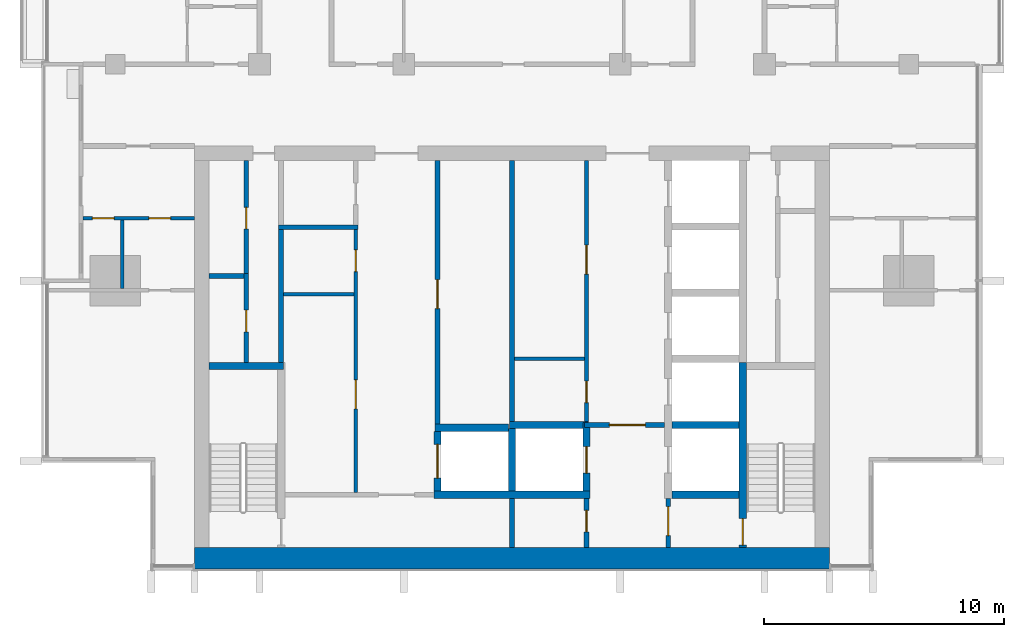
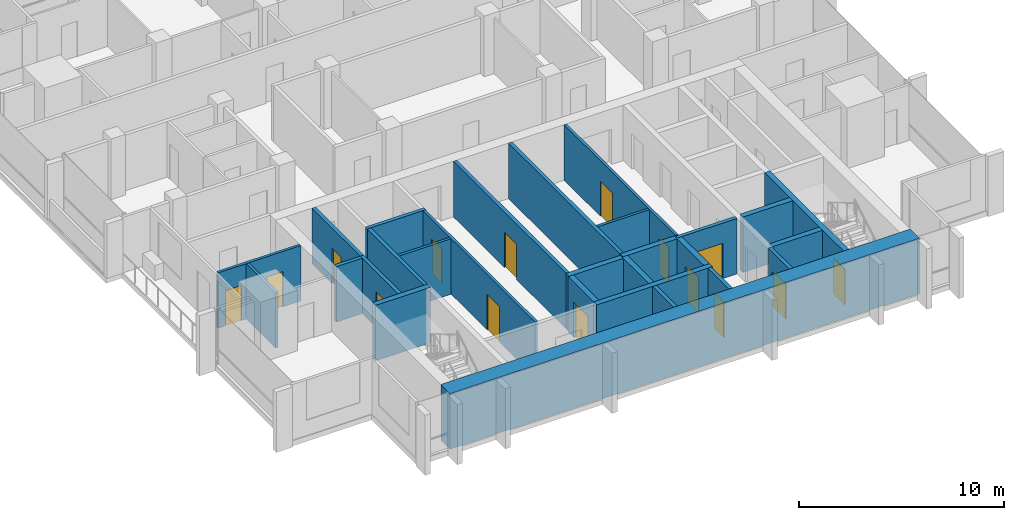
# One storey, part 7 of 16: 28 walls, 15 doors, 15 openings.
"""IFC4 building model written with IfcOpenShell, lengths in metres."""

from ifc_helpers import new_model, si_unit, direction, frame, frame_2d, origin, place, context, subcontext, project, spatial, rectangle, extrude, material, layer, layer_set, type_object, element, fill, save


model = new_model("IFC4")

# Units and contexts
model_context = context("Model", 3, precision=1e-05, world=origin(), true_north=direction((0.0, 1.0)))
body_context = subcontext(model_context, "Body", "Model", "MODEL_VIEW")
ifc_project = project(units=[si_unit("LENGTHUNIT", "METRE"), si_unit("AREAUNIT", "SQUARE_METRE"), si_unit("VOLUMEUNIT", "CUBIC_METRE"), si_unit("PLANEANGLEUNIT", "RADIAN"), si_unit("MASSUNIT", "GRAM", prefix="KILO")], contexts=[model_context])

# Site, building, storey
site_placement = place(None, origin())
site = spatial("IfcSite", under=ifc_project, at=site_placement, CompositionType="ELEMENT")
building_placement = place(site_placement, origin())
building = spatial("IfcBuilding", under=site, at=building_placement, Name="Finial Court Residences", CompositionType="ELEMENT")
storey_placement = place(building_placement, frame((0.0, 0.0, 230.300048828125)))
storey = spatial("IfcBuildingStorey", under=building, at=storey_placement, Name="L58", CompositionType="ELEMENT", Elevation=230.300048828125)

# Walls
ifc_material_1 = material(Name="Fire-rated gypsum board partition")
ifc_layer_1 = layer(ifc_material_1, 0.14990234375)
ifc_layer_set_1 = layer_set([ifc_layer_1], Name="Core room partition 150 EI 60")
wall_type_1 = type_object("IfcWallType", Name="Core room partition 150 EI 60", PredefinedType="PARTITIONING", material=ifc_layer_set_1)
wall_1_placement = place(storey_placement, frame((0.10009765625, -16.75, 0.0), z_axis=(0.0, 0.0, 1.0), x_axis=(1.0, 0.0, 0.0)))
element("IfcWall", 1, at=wall_1_placement, inside=storey, type_object=wall_type_1, Name="Core partition L58-10", PredefinedType="PARTITIONING", context=body_context, shape_type="SweptSolid", body=[
    extrude(rectangle(XDim=2.9248046875, YDim=0.14990234375, at=frame_2d((1.46240234375, 0.0))), origin(), (0.0, 0.0, 1.0), 3.300048828125),
])
wall_2_placement = place(storey_placement, frame((-9.5, -14.06005859375, 0.0), z_axis=(0.0, 0.0, 1.0), x_axis=(1.0, 0.0, 0.0)))
element("IfcWall", 2, at=wall_2_placement, inside=storey, type_object=wall_type_1, Name="Core partition L58-12", PredefinedType="PARTITIONING", context=body_context, shape_type="SweptSolid", body=[
    extrude(rectangle(XDim=2.925048828125, YDim=0.14990234375, at=frame_2d((1.46240234375, 0.0))), origin(), (0.0, 0.0, 1.0), 3.300048828125),
])

# Wall, openings, doors
wall_3_placement = place(storey_placement, frame((-6.5, -22.300048828125, 0.0), z_axis=(0.0, 0.0, 1.0), x_axis=(0.0, 1.0, 0.0)))
wall_3 = element("IfcWall", 3, at=wall_3_placement, inside=storey, type_object=wall_type_1, Name="Core partition L58-23", PredefinedType="PARTITIONING", context=body_context, shape_type="SweptSolid", body=[
    extrude(rectangle(XDim=10.920166015625, YDim=0.14990234375, at=frame_2d((5.4599609375, 0.0))), origin(), (0.0, 0.0, 1.0), 3.300048828125),
])
opening_1_placement = place(wall_3_placement, frame((3.469970703125, 0.0, 0.0)))
opening_1 = element("IfcOpeningElement", 4, at=opening_1_placement, cuts=wall_3, Name="Opening L58-C15", PredefinedType="OPENING", context=body_context, shape_type="SweptSolid", body=[
    extrude(rectangle(XDim=1.199951171875, YDim=2.10009765625, at=frame_2d((0.60009765625, 1.050048828125))), frame((0.0, 0.0849609375, 0.0), z_axis=(0.0, -1.0, 0.0), x_axis=(1.0, 0.0, 0.0)), (0.0, 0.0, 1.0), 0.169921875),
])
opening_2_placement = place(wall_3_placement, frame((9.179931640625, 0.0, 0.0)))
opening_2 = element("IfcOpeningElement", 5, at=opening_2_placement, cuts=wall_3, Name="Opening L58-C16", PredefinedType="OPENING", context=body_context, shape_type="SweptSolid", body=[
    extrude(rectangle(XDim=0.89990234375, YDim=2.10009765625, at=frame_2d((0.449951171875, 1.050048828125))), frame((0.0, 0.0849609375, 0.0), z_axis=(0.0, -1.0, 0.0), x_axis=(1.0, 0.0, 0.0)), (0.0, 0.0, 1.0), 0.169921875),
])
ifc_material_2 = material(Name="Steel fire door", Category="steel")
door_type_1 = type_object("IfcDoorType", Name="Core room door 1200 x 2100 EI 60", OperationType="NOTDEFINED", PredefinedType="DOOR", material=ifc_material_2)
door_1_placement = place(opening_1_placement, origin())
door_1 = element("IfcDoor", 6, at=door_1_placement, inside=storey, type_object=door_type_1, Name="Core room door L58-C15", OperationType="SINGLE_SWING_LEFT", OverallHeight=2.10009765625, OverallWidth=1.199951171875, PredefinedType="DOOR", context=body_context, shape_type="SweptSolid", body=[
    extrude(rectangle(XDim=1.199951171875, YDim=2.10009765625, at=frame_2d((0.60009765625, 1.050048828125))), frame((0.0, 0.02490234375, 0.0), z_axis=(0.0, -1.0, 0.0), x_axis=(1.0, 0.0, 0.0)), (0.0, 0.0, 1.0), 0.050048828125),
])
fill(opening_1, door_1)
door_type_2 = type_object("IfcDoorType", Name="Core room door 900 x 2100 EI 60", OperationType="NOTDEFINED", PredefinedType="DOOR", material=ifc_material_2)
door_2_placement = place(opening_2_placement, origin())
door_2 = element("IfcDoor", 7, at=door_2_placement, inside=storey, type_object=door_type_2, Name="Core room door L58-C16", OperationType="SINGLE_SWING_LEFT", OverallHeight=2.10009765625, OverallWidth=0.89990234375, PredefinedType="DOOR", context=body_context, shape_type="SweptSolid", body=[
    extrude(rectangle(XDim=0.89990234375, YDim=2.10009765625, at=frame_2d((0.449951171875, 1.050048828125))), frame((0.0, 0.02490234375, 0.0), z_axis=(0.0, -1.0, 0.0), x_axis=(1.0, 0.0, 0.0)), (0.0, 0.0, 1.0), 0.050048828125),
])
fill(opening_2, door_2)

wall_4_placement = place(storey_placement, frame((3.10009765625, -19.39990234375, 0.0), z_axis=(0.0, 0.0, 1.0), x_axis=(0.0, 1.0, 0.0)))
wall_4 = element("IfcWall", 8, at=wall_4_placement, inside=storey, type_object=wall_type_1, Name="Core partition L58-32", PredefinedType="PARTITIONING", context=body_context, shape_type="SweptSolid", body=[
    extrude(rectangle(XDim=10.89990234375, YDim=0.14990234375, at=frame_2d((5.449951171875, 0.0))), origin(), (0.0, 0.0, 1.0), 3.300048828125),
])
opening_3_placement = place(wall_4_placement, frame((0.824951171875, 0.0, 0.0)))
opening_3 = element("IfcOpeningElement", 9, at=opening_3_placement, cuts=wall_4, Name="Opening L58-C17", PredefinedType="OPENING", context=body_context, shape_type="SweptSolid", body=[
    extrude(rectangle(XDim=0.89990234375, YDim=2.10009765625, at=frame_2d((0.449951171875, 1.050048828125))), frame((0.0, 0.0849609375, 0.0), z_axis=(0.0, -1.0, 0.0), x_axis=(1.0, 0.0, 0.0)), (0.0, 0.0, 1.0), 0.169921875),
])
opening_4_placement = place(wall_4_placement, frame((6.175048828125, 0.0, 0.0)))
opening_4 = element("IfcOpeningElement", 10, at=opening_4_placement, cuts=wall_4, Name="Opening L58-C18", PredefinedType="OPENING", context=body_context, shape_type="SweptSolid", body=[
    extrude(rectangle(XDim=1.199951171875, YDim=2.10009765625, at=frame_2d((0.60009765625, 1.050048828125))), frame((0.0, 0.0849609375, 0.0), z_axis=(0.0, -1.0, 0.0), x_axis=(1.0, 0.0, 0.0)), (0.0, 0.0, 1.0), 0.169921875),
])
door_3_placement = place(opening_4_placement, origin())
door_3 = element("IfcDoor", 11, at=door_3_placement, inside=storey, type_object=door_type_1, Name="Core room door L58-C18", OperationType="SINGLE_SWING_LEFT", OverallHeight=2.10009765625, OverallWidth=1.199951171875, PredefinedType="DOOR", context=body_context, shape_type="SweptSolid", body=[
    extrude(rectangle(XDim=1.199951171875, YDim=2.10009765625, at=frame_2d((0.60009765625, 1.050048828125))), frame((0.0, 0.02490234375, 0.0), z_axis=(0.0, -1.0, 0.0), x_axis=(1.0, 0.0, 0.0)), (0.0, 0.0, 1.0), 0.050048828125),
])
fill(opening_4, door_3)
door_4_placement = place(opening_3_placement, origin())
door_4 = element("IfcDoor", 12, at=door_4_placement, inside=storey, type_object=door_type_2, Name="Core room door L58-C17", OperationType="SINGLE_SWING_LEFT", OverallHeight=2.10009765625, OverallWidth=0.89990234375, PredefinedType="DOOR", context=body_context, shape_type="SweptSolid", body=[
    extrude(rectangle(XDim=0.89990234375, YDim=2.10009765625, at=frame_2d((0.449951171875, 1.050048828125))), frame((0.0, 0.02490234375, 0.0), z_axis=(0.0, -1.0, 0.0), x_axis=(1.0, 0.0, 0.0)), (0.0, 0.0, 1.0), 0.050048828125),
])
fill(opening_3, door_4)

# Wall
ifc_material_3 = material(Name="Concrete C60/75", Category="concrete")
ifc_layer_2 = layer(ifc_material_3, 0.89990234375)
ifc_layer_set_2 = layer_set([ifc_layer_2], Name="Core south facade wall 900 Concrete C60/75")
wall_type_2 = type_object("IfcWallType", Name="Core south facade wall 900 Concrete C60/75", PredefinedType="SHEAR", material=ifc_layer_set_2)
wall_5_placement = place(storey_placement, frame((-13.199951171875, -25.050048828125, 0.0), z_axis=(0.0, 0.0, 1.0), x_axis=(1.0, 0.0, 0.0)))
element("IfcWall", 13, at=wall_5_placement, inside=storey, type_object=wall_type_2, Name="Core outer wall L58-01", PredefinedType="SHEAR", context=body_context, shape_type="SweptSolid", body=[
    extrude(rectangle(XDim=26.39990234375, YDim=0.89990234375, at=frame_2d((13.199951171875, 0.0))), origin(), (0.0, 0.0, 1.0), 3.300048828125),
])

# Wall, opening, door
ifc_layer_3 = layer(ifc_material_1, 0.199951171875)
ifc_layer_set_3 = layer_set([ifc_layer_3], Name="Firefighting lobby wall 200 EI 120")
wall_type_3 = type_object("IfcWallType", Name="Firefighting lobby wall 200 EI 120", PredefinedType="PARTITIONING", material=ifc_layer_set_3)
wall_6_placement = place(storey_placement, frame((6.35009765625, -19.5, 0.0), z_axis=(0.0, 0.0, 1.0), x_axis=(-1.0, 0.0, 0.0)))
wall_6 = element("IfcWall", 14, at=wall_6_placement, inside=storey, type_object=wall_type_3, Name="Core partition L58-06", PredefinedType="PARTITIONING", context=body_context, shape_type="SweptSolid", body=[
    extrude(rectangle(XDim=3.3251953125, YDim=0.199951171875, at=frame_2d((1.66259765625, 0.0))), origin(), (0.0, 0.0, 1.0), 3.300048828125),
])
opening_5_placement = place(wall_6_placement, frame((0.800048828125, 0.0, 0.0)))
opening_5 = element("IfcOpeningElement", 15, at=opening_5_placement, cuts=wall_6, Name="Opening L58-C02", PredefinedType="OPENING", context=body_context, shape_type="SweptSolid", body=[
    extrude(rectangle(XDim=1.5, YDim=2.10009765625, at=frame_2d((0.75, 1.050048828125))), frame((0.0, 0.10986328125, 0.0), z_axis=(0.0, -1.0, 0.0), x_axis=(1.0, 0.0, 0.0)), (0.0, 0.0, 1.0), 0.219970703125),
])
door_type_3 = type_object("IfcDoorType", Name="Firefighting lobby door 1500 x 2100 EI 90", OperationType="DOUBLE_DOOR_SINGLE_SWING", PredefinedType="DOOR", material=ifc_material_2)
door_5_placement = place(opening_5_placement, origin())
door_5 = element("IfcDoor", 16, at=door_5_placement, inside=storey, type_object=door_type_3, Name="Firefighting lobby door L58-C02", OperationType="DOUBLE_DOOR_SINGLE_SWING", OverallHeight=2.10009765625, OverallWidth=1.5, PredefinedType="DOOR", context=body_context, shape_type="SweptSolid", body=[
    extrude(rectangle(XDim=1.5, YDim=2.10009765625, at=frame_2d((0.75, 1.050048828125))), frame((0.0, 0.02490234375, 0.0), z_axis=(0.0, -1.0, 0.0), x_axis=(1.0, 0.0, 0.0)), (0.0, 0.0, 1.0), 0.050048828125),
])
fill(opening_5, door_5)

wall_7_placement = place(storey_placement, frame((3.10009765625, -24.60009765625, 0.0), z_axis=(0.0, 0.0, 1.0), x_axis=(0.0, 1.0, 0.0)))
wall_7 = element("IfcWall", 17, at=wall_7_placement, inside=storey, type_object=wall_type_3, Name="Core partition L58-30", PredefinedType="PARTITIONING", context=body_context, shape_type="SweptSolid", body=[
    extrude(rectangle(XDim=2.050048828125, YDim=0.199951171875, at=frame_2d((1.02490234375, 0.0))), origin(), (0.0, 0.0, 1.0), 3.300048828125),
])
opening_6_placement = place(wall_7_placement, frame((0.64990234375, 0.0, 0.0)))
opening_6 = element("IfcOpeningElement", 18, at=opening_6_placement, cuts=wall_7, Name="Opening L58-C06", PredefinedType="OPENING", context=body_context, shape_type="SweptSolid", body=[
    extrude(rectangle(XDim=0.89990234375, YDim=2.10009765625, at=frame_2d((0.449951171875, 1.050048828125))), frame((0.0, 0.10986328125, 0.0), z_axis=(0.0, -1.0, 0.0), x_axis=(1.0, 0.0, 0.0)), (0.0, 0.0, 1.0), 0.219970703125),
])
door_type_4 = type_object("IfcDoorType", Name="Riser room door 900 x 2100 EI 90", OperationType="NOTDEFINED", PredefinedType="DOOR", material=ifc_material_2)
door_6_placement = place(opening_6_placement, origin())
door_6 = element("IfcDoor", 19, at=door_6_placement, inside=storey, type_object=door_type_4, Name="Riser room door L58-C06", OperationType="SINGLE_SWING_LEFT", OverallHeight=2.10009765625, OverallWidth=0.89990234375, PredefinedType="DOOR", context=body_context, shape_type="SweptSolid", body=[
    extrude(rectangle(XDim=0.89990234375, YDim=2.10009765625, at=frame_2d((0.449951171875, 1.050048828125))), frame((0.0, 0.02490234375, 0.0), z_axis=(0.0, -1.0, 0.0), x_axis=(1.0, 0.0, 0.0)), (0.0, 0.0, 1.0), 0.050048828125),
])
fill(opening_6, door_6)

wall_8_placement = place(storey_placement, frame((6.5, -22.550048828125, 0.0), z_axis=(0.0, 0.0, 1.0), x_axis=(0.0, -1.0, 0.0)))
wall_8 = element("IfcWall", 20, at=wall_8_placement, inside=storey, type_object=wall_type_3, Name="Core partition L58-33", PredefinedType="PARTITIONING", context=body_context, shape_type="SweptSolid", body=[
    extrude(rectangle(XDim=2.050048828125, YDim=0.199951171875, at=frame_2d((1.02490234375, 0.0))), origin(), (0.0, 0.0, 1.0), 3.300048828125),
])
opening_7_placement = place(wall_8_placement, frame((0.35009765625, 0.0, 0.0)))
opening_7 = element("IfcOpeningElement", 21, at=opening_7_placement, cuts=wall_8, Name="Opening L58-C01", PredefinedType="OPENING", context=body_context, shape_type="SweptSolid", body=[
    extrude(rectangle(XDim=1.199951171875, YDim=2.10009765625, at=frame_2d((0.60009765625, 1.050048828125))), frame((0.0, 0.10986328125, 0.0), z_axis=(0.0, -1.0, 0.0), x_axis=(1.0, 0.0, 0.0)), (0.0, 0.0, 1.0), 0.219970703125),
])
door_type_5 = type_object("IfcDoorType", Name="Firefighting lobby door 1200 x 2100 EI 90", OperationType="NOTDEFINED", PredefinedType="DOOR", material=ifc_material_2)
door_7_placement = place(opening_7_placement, origin())
door_7 = element("IfcDoor", 22, at=door_7_placement, inside=storey, type_object=door_type_5, Name="Firefighting lobby door L58-C01", OperationType="SINGLE_SWING_RIGHT", OverallHeight=2.10009765625, OverallWidth=1.199951171875, PredefinedType="DOOR", context=body_context, shape_type="SweptSolid", body=[
    extrude(rectangle(XDim=1.199951171875, YDim=2.10009765625, at=frame_2d((0.60009765625, 1.050048828125))), frame((0.0, 0.02490234375, 0.0), z_axis=(0.0, -1.0, 0.0), x_axis=(1.0, 0.0, 0.0)), (0.0, 0.0, 1.0), 0.050048828125),
])
fill(opening_7, door_7)

# Wall, openings, doors
ifc_material_4 = material(Name="Moisture-resistant gypsum board")
ifc_layer_4 = layer(ifc_material_4, 0.012451171875)
ifc_material_5 = material(Name="Mineral wool in light-gauge frame")
ifc_layer_5 = layer(ifc_material_5, 0.125)
ifc_layer_6 = layer(ifc_material_4, 0.012451171875)
ifc_layer_set_4 = layer_set([ifc_layer_4, ifc_layer_5, ifc_layer_6], Name="Gypsum board wet-area partition 150")
wall_type_4 = type_object("IfcWallType", Name="Gypsum board wet-area partition 150", PredefinedType="PARTITIONING", material=ifc_layer_set_4)
wall_9_placement = place(storey_placement, frame((-17.85009765625, -10.89990234375, 0.0), z_axis=(0.0, 0.0, 1.0), x_axis=(1.0, 0.0, 0.0)))
wall_9 = element("IfcWall", 23, at=wall_9_placement, inside=storey, type_object=wall_type_4, Name="Partition L58-002", PredefinedType="PARTITIONING", context=body_context, shape_type="SweptSolid", body=[
    extrude(rectangle(XDim=4.650146484375, YDim=0.14990234375, at=frame_2d((2.3251953125, 0.0))), origin(), (0.0, 0.0, 1.0), 3.300048828125),
])
opening_8_placement = place(wall_9_placement, frame((0.39990234375, 0.0, 0.0)))
opening_8 = element("IfcOpeningElement", 24, at=opening_8_placement, cuts=wall_9, Name="Opening L58-D003", PredefinedType="OPENING", context=body_context, shape_type="SweptSolid", body=[
    extrude(rectangle(XDim=0.89990234375, YDim=2.10009765625, at=frame_2d((0.449951171875, 1.050048828125))), frame((0.0, 0.0849609375, 0.0), z_axis=(0.0, -1.0, 0.0), x_axis=(1.0, 0.0, 0.0)), (0.0, 0.0, 1.0), 0.169921875),
])
opening_9_placement = place(wall_9_placement, frame((2.75, 0.0, 0.0)))
opening_9 = element("IfcOpeningElement", 25, at=opening_9_placement, cuts=wall_9, Name="Opening L58-D004", PredefinedType="OPENING", context=body_context, shape_type="SweptSolid", body=[
    extrude(rectangle(XDim=0.89990234375, YDim=2.10009765625, at=frame_2d((0.449951171875, 1.050048828125))), frame((0.0, 0.0849609375, 0.0), z_axis=(0.0, -1.0, 0.0), x_axis=(1.0, 0.0, 0.0)), (0.0, 0.0, 1.0), 0.169921875),
])
ifc_material_6 = material(Name="Timber door leaf in timber frame", Category="wood")
door_type_6 = type_object("IfcDoorType", Name="Door set 900 x 2100", OperationType="SINGLE_SWING_LEFT", PredefinedType="DOOR", material=ifc_material_6)
door_8_placement = place(opening_8_placement, origin())
door_8 = element("IfcDoor", 26, at=door_8_placement, inside=storey, type_object=door_type_6, Name="Door L58-D003", OperationType="SINGLE_SWING_LEFT", OverallHeight=2.10009765625, OverallWidth=0.89990234375, PredefinedType="DOOR", context=body_context, shape_type="SweptSolid", body=[
    extrude(rectangle(XDim=0.89990234375, YDim=2.10009765625, at=frame_2d((0.449951171875, 1.050048828125))), frame((0.0, 0.02490234375, 0.0), z_axis=(0.0, -1.0, 0.0), x_axis=(1.0, 0.0, 0.0)), (0.0, 0.0, 1.0), 0.050048828125),
])
fill(opening_8, door_8)
door_9_placement = place(opening_9_placement, origin())
door_9 = element("IfcDoor", 27, at=door_9_placement, inside=storey, type_object=door_type_6, Name="Door L58-D004", OperationType="SINGLE_SWING_RIGHT", OverallHeight=2.10009765625, OverallWidth=0.89990234375, PredefinedType="DOOR", context=body_context, shape_type="SweptSolid", body=[
    extrude(rectangle(XDim=0.89990234375, YDim=2.10009765625, at=frame_2d((0.449951171875, 1.050048828125))), frame((0.0, 0.02490234375, 0.0), z_axis=(0.0, -1.0, 0.0), x_axis=(1.0, 0.0, 0.0)), (0.0, 0.0, 1.0), 0.050048828125),
])
fill(opening_9, door_9)

# Walls
wall_10_placement = place(storey_placement, frame((-16.199951171875, -13.824951171875, 0.0), z_axis=(0.0, 0.0, 1.0), x_axis=(0.0, 1.0, 0.0)))
element("IfcWall", 28, at=wall_10_placement, inside=storey, type_object=wall_type_4, Name="Partition L58-023", PredefinedType="PARTITIONING", context=body_context, shape_type="SweptSolid", body=[
    extrude(rectangle(XDim=2.849853515625, YDim=0.14990234375, at=frame_2d((1.4248046875, 0.0))), origin(), (0.0, 0.0, 1.0), 3.300048828125),
])
ifc_layer_7 = layer(ifc_material_3, 0.300048828125)
ifc_layer_set_5 = layer_set([ifc_layer_7], Name="Lift shaft and stair wall 300 Concrete C60/75")
wall_type_5 = type_object("IfcWallType", Name="Lift shaft and stair wall 300 Concrete C60/75", PredefinedType="SHEAR", material=ifc_layer_set_5)
wall_11_placement = place(storey_placement, frame((-3.25, -22.39990234375, 0.0), z_axis=(0.0, 0.0, 1.0), x_axis=(1.0, 0.0, 0.0)))
element("IfcWall", 29, at=wall_11_placement, inside=storey, type_object=wall_type_5, Name="Core wall L58-02", PredefinedType="SHEAR", context=body_context, shape_type="SweptSolid", body=[
    extrude(rectangle(XDim=6.5, YDim=0.300048828125, at=frame_2d((3.25, 0.0))), origin(), (0.0, 0.0, 1.0), 3.300048828125),
])
wall_12_placement = place(storey_placement, frame((6.64990234375, -22.39990234375, 0.0), z_axis=(0.0, 0.0, 1.0), x_axis=(1.0, 0.0, 0.0)))
element("IfcWall", 30, at=wall_12_placement, inside=storey, type_object=wall_type_5, Name="Core wall L58-03", PredefinedType="SHEAR", context=body_context, shape_type="SweptSolid", body=[
    extrude(rectangle(XDim=2.800048828125, YDim=0.300048828125, at=frame_2d((1.39990234375, 0.0))), origin(), (0.0, 0.0, 1.0), 3.300048828125),
])
wall_13_placement = place(storey_placement, frame((-3.199951171875, -19.6201171875, 0.0), z_axis=(0.0, 0.0, 1.0), x_axis=(1.0, 0.0, 0.0)))
element("IfcWall", 31, at=wall_13_placement, inside=storey, type_object=wall_type_5, Name="Core wall L58-04", PredefinedType="SHEAR", context=body_context, shape_type="SweptSolid", body=[
    extrude(rectangle(XDim=3.050048828125, YDim=0.300048828125, at=frame_2d((1.52490234375, 0.0))), origin(), (0.0, 0.0, 1.0), 3.300048828125),
])
wall_14_placement = place(storey_placement, frame((-0.10009765625, -19.5, 0.0), z_axis=(0.0, 0.0, 1.0), x_axis=(1.0, 0.0, 0.0)))
element("IfcWall", 32, at=wall_14_placement, inside=storey, type_object=wall_type_5, Name="Core wall L58-05", PredefinedType="SHEAR", context=body_context, shape_type="SweptSolid", body=[
    extrude(rectangle(XDim=3.275146484375, YDim=0.300048828125, at=frame_2d((1.6376953125, 0.0))), origin(), (0.0, 0.0, 1.0), 3.300048828125),
])
wall_15_placement = place(storey_placement, frame((6.64990234375, -19.5, 0.0), z_axis=(0.0, 0.0, 1.0), x_axis=(1.0, 0.0, 0.0)))
element("IfcWall", 33, at=wall_15_placement, inside=storey, type_object=wall_type_5, Name="Core wall L58-07", PredefinedType="SHEAR", context=body_context, shape_type="SweptSolid", body=[
    extrude(rectangle(XDim=2.800048828125, YDim=0.300048828125, at=frame_2d((1.39990234375, 0.0))), origin(), (0.0, 0.0, 1.0), 3.300048828125),
])
wall_16_placement = place(storey_placement, frame((-12.60009765625, -17.050048828125, 0.0), z_axis=(0.0, 0.0, 1.0), x_axis=(1.0, 0.0, 0.0)))
element("IfcWall", 34, at=wall_16_placement, inside=storey, type_object=wall_type_5, Name="Core wall L58-08", PredefinedType="SHEAR", context=body_context, shape_type="SweptSolid", body=[
    extrude(rectangle(XDim=3.10009765625, YDim=0.300048828125, at=frame_2d((1.550048828125, 0.0))), origin(), (0.0, 0.0, 1.0), 3.300048828125),
])

# Wall, opening, door
wall_17_placement = place(storey_placement, frame((-3.10009765625, -22.25, 0.0), z_axis=(0.0, 0.0, 1.0), x_axis=(0.0, 1.0, 0.0)))
wall_17 = element("IfcWall", 35, at=wall_17_placement, inside=storey, type_object=wall_type_5, Name="Core wall L58-25", PredefinedType="SHEAR", context=body_context, shape_type="SweptSolid", body=[
    extrude(rectangle(XDim=2.47998046875, YDim=0.300048828125, at=frame_2d((1.239990234375, 0.0))), origin(), (0.0, 0.0, 1.0), 3.300048828125),
])
opening_10_placement = place(wall_17_placement, frame((0.5400390625, 0.0, 0.0)))
opening_10 = element("IfcOpeningElement", 36, at=opening_10_placement, cuts=wall_17, Name="Opening L58-LD07", PredefinedType="OPENING", context=body_context, shape_type="SweptSolid", body=[
    extrude(rectangle(XDim=1.39990234375, YDim=2.10009765625, at=frame_2d((0.699951171875, 1.050048828125))), frame((0.0, 0.159912109375, 0.0), z_axis=(0.0, -1.0, 0.0), x_axis=(1.0, 0.0, 0.0)), (0.0, 0.0, 1.0), 0.320068359375),
])
ifc_material_7 = material(Name="Stainless steel lift door", Category="steel")
door_type_7 = type_object("IfcDoorType", Name="Lift landing door 1400 x 2100 EI 90", OperationType="DOUBLE_DOOR_SLIDING", PredefinedType="DOOR", material=ifc_material_7)
door_10_placement = place(opening_10_placement, origin())
door_10 = element("IfcDoor", 37, at=door_10_placement, inside=storey, type_object=door_type_7, Name="Lift landing door SV1 L58", OperationType="DOUBLE_DOOR_SLIDING", OverallHeight=2.10009765625, OverallWidth=1.39990234375, PredefinedType="DOOR", context=body_context, shape_type="SweptSolid", body=[
    extrude(rectangle(XDim=1.39990234375, YDim=2.10009765625, at=frame_2d((0.699951171875, 1.050048828125))), frame((0.0, 0.02490234375, 0.0), z_axis=(0.0, -1.0, 0.0), x_axis=(1.0, 0.0, 0.0)), (0.0, 0.0, 1.0), 0.050048828125),
])
fill(opening_10, door_10)

# Wall
wall_18_placement = place(storey_placement, frame((0.0, -22.25, 0.0), z_axis=(0.0, 0.0, 1.0), x_axis=(0.0, 1.0, 0.0)))
element("IfcWall", 38, at=wall_18_placement, inside=storey, type_object=wall_type_5, Name="Core wall L58-28", PredefinedType="SHEAR", context=body_context, shape_type="SweptSolid", body=[
    extrude(rectangle(XDim=2.60009765625, YDim=0.300048828125, at=frame_2d((1.300048828125, 0.0))), origin(), (0.0, 0.0, 1.0), 3.300048828125),
])

# Wall, opening, door
wall_19_placement = place(storey_placement, frame((3.10009765625, -22.25, 0.0), z_axis=(0.0, 0.0, 1.0), x_axis=(0.0, 1.0, 0.0)))
wall_19 = element("IfcWall", 39, at=wall_19_placement, inside=storey, type_object=wall_type_5, Name="Core wall L58-31", PredefinedType="SHEAR", context=body_context, shape_type="SweptSolid", body=[
    extrude(rectangle(XDim=2.85009765625, YDim=0.300048828125, at=frame_2d((1.425048828125, 0.0))), origin(), (0.0, 0.0, 1.0), 3.300048828125),
])
opening_11_placement = place(wall_19_placement, frame((0.75, 0.0, 0.0)))
opening_11 = element("IfcOpeningElement", 40, at=opening_11_placement, cuts=wall_19, Name="Opening L58-LD01", PredefinedType="OPENING", context=body_context, shape_type="SweptSolid", body=[
    extrude(rectangle(XDim=1.10009765625, YDim=2.10009765625, at=frame_2d((0.550048828125, 1.050048828125))), frame((0.0, 0.159912109375, 0.0), z_axis=(0.0, -1.0, 0.0), x_axis=(1.0, 0.0, 0.0)), (0.0, 0.0, 1.0), 0.320068359375),
])
door_type_8 = type_object("IfcDoorType", Name="Lift landing door 1100 x 2100 EI 90", OperationType="DOUBLE_DOOR_SLIDING", PredefinedType="DOOR", material=ifc_material_7)
door_11_placement = place(opening_11_placement, origin())
door_11 = element("IfcDoor", 41, at=door_11_placement, inside=storey, type_object=door_type_8, Name="Lift landing door FF1 L58", OperationType="DOUBLE_DOOR_SLIDING", OverallHeight=2.10009765625, OverallWidth=1.10009765625, PredefinedType="DOOR", context=body_context, shape_type="SweptSolid", body=[
    extrude(rectangle(XDim=1.10009765625, YDim=2.10009765625, at=frame_2d((0.550048828125, 1.050048828125))), frame((0.0, 0.02490234375, 0.0), z_axis=(0.0, -1.0, 0.0), x_axis=(1.0, 0.0, 0.0)), (0.0, 0.0, 1.0), 0.050048828125),
])
fill(opening_11, door_11)

wall_20_placement = place(storey_placement, frame((9.60009765625, -16.89990234375, 0.0), z_axis=(0.0, 0.0, 1.0), x_axis=(0.0, -1.0, 0.0)))
wall_20 = element("IfcWall", 42, at=wall_20_placement, inside=storey, type_object=wall_type_5, Name="Core wall L58-35", PredefinedType="SHEAR", context=body_context, shape_type="SweptSolid", body=[
    extrude(rectangle(XDim=7.7001953125, YDim=0.300048828125, at=frame_2d((3.85009765625, 0.0))), origin(), (0.0, 0.0, 1.0), 3.300048828125),
])
opening_12_placement = place(wall_20_placement, frame((6.5, 0.0, 0.0)))
opening_12 = element("IfcOpeningElement", 43, at=opening_12_placement, cuts=wall_20, Name="Opening L58-C20", PredefinedType="OPENING", context=body_context, shape_type="SweptSolid", body=[
    extrude(rectangle(XDim=1.10009765625, YDim=2.10009765625, at=frame_2d((0.550048828125, 1.050048828125))), frame((0.0, 0.159912109375, 0.0), z_axis=(0.0, -1.0, 0.0), x_axis=(1.0, 0.0, 0.0)), (0.0, 0.0, 1.0), 0.320068359375),
])
door_type_9 = type_object("IfcDoorType", Name="Stair door 1100 x 2100 EI 90", OperationType="NOTDEFINED", PredefinedType="DOOR", material=ifc_material_2)
door_12_placement = place(opening_12_placement, origin())
door_12 = element("IfcDoor", 44, at=door_12_placement, inside=storey, type_object=door_type_9, Name="Stair door L58-C20", OperationType="SINGLE_SWING_RIGHT", OverallHeight=2.10009765625, OverallWidth=1.10009765625, PredefinedType="DOOR", context=body_context, shape_type="SweptSolid", body=[
    extrude(rectangle(XDim=1.10009765625, YDim=2.10009765625, at=frame_2d((0.550048828125, 1.050048828125))), frame((0.0, 0.02490234375, 0.0), z_axis=(0.0, -1.0, 0.0), x_axis=(1.0, 0.0, 0.0)), (0.0, 0.0, 1.0), 0.050048828125),
])
fill(opening_12, door_12)

# Walls
ifc_layer_8 = layer(ifc_material_1, 0.199951171875)
ifc_layer_set_6 = layer_set([ifc_layer_8], Name="Riser room wall 200 EI 120")
wall_type_6 = type_object("IfcWallType", Name="Riser room wall 200 EI 120", PredefinedType="PARTITIONING", material=ifc_layer_set_6)
wall_21_placement = place(storey_placement, frame((-12.60009765625, -13.300048828125, 0.0), z_axis=(0.0, 0.0, 1.0), x_axis=(1.0, 0.0, 0.0)))
element("IfcWall", 45, at=wall_21_placement, inside=storey, type_object=wall_type_6, Name="Core partition L58-14", PredefinedType="PARTITIONING", context=body_context, shape_type="SweptSolid", body=[
    extrude(rectangle(XDim=1.4501953125, YDim=0.199951171875, at=frame_2d((0.72509765625, 0.0))), origin(), (0.0, 0.0, 1.0), 3.300048828125),
])
wall_22_placement = place(storey_placement, frame((-9.699951171875, -11.280029296875, 0.0), z_axis=(0.0, 0.0, 1.0), x_axis=(1.0, 0.0, 0.0)))
element("IfcWall", 46, at=wall_22_placement, inside=storey, type_object=wall_type_6, Name="Core partition L58-15", PredefinedType="PARTITIONING", context=body_context, shape_type="SweptSolid", body=[
    extrude(rectangle(XDim=3.300048828125, YDim=0.199951171875, at=frame_2d((1.64990234375, 0.0))), origin(), (0.0, 0.0, 1.0), 3.300048828125),
])

# Wall, opening, door
wall_23_placement = place(storey_placement, frame((-11.050048828125, -13.39990234375, 0.0), z_axis=(0.0, 0.0, 1.0), x_axis=(0.0, 1.0, 0.0)))
wall_23 = element("IfcWall", 47, at=wall_23_placement, inside=storey, type_object=wall_type_6, Name="Core partition L58-19", PredefinedType="PARTITIONING", context=body_context, shape_type="SweptSolid", body=[
    extrude(rectangle(XDim=4.89990234375, YDim=0.199951171875, at=frame_2d((2.449951171875, 0.0))), origin(), (0.0, 0.0, 1.0), 3.300048828125),
])
opening_13_placement = place(wall_23_placement, frame((2.050048828125, 0.0, 0.0)))
opening_13 = element("IfcOpeningElement", 48, at=opening_13_placement, cuts=wall_23, Name="Opening L58-C07", PredefinedType="OPENING", context=body_context, shape_type="SweptSolid", body=[
    extrude(rectangle(XDim=0.89990234375, YDim=2.10009765625, at=frame_2d((0.449951171875, 1.050048828125))), frame((0.0, 0.10986328125, 0.0), z_axis=(0.0, -1.0, 0.0), x_axis=(1.0, 0.0, 0.0)), (0.0, 0.0, 1.0), 0.219970703125),
])
door_13_placement = place(opening_13_placement, origin())
door_13 = element("IfcDoor", 49, at=door_13_placement, inside=storey, type_object=door_type_4, Name="Riser room door L58-C07", OperationType="SINGLE_SWING_LEFT", OverallHeight=2.10009765625, OverallWidth=0.89990234375, PredefinedType="DOOR", context=body_context, shape_type="SweptSolid", body=[
    extrude(rectangle(XDim=0.89990234375, YDim=2.10009765625, at=frame_2d((0.449951171875, 1.050048828125))), frame((0.0, 0.02490234375, 0.0), z_axis=(0.0, -1.0, 0.0), x_axis=(1.0, 0.0, 0.0)), (0.0, 0.0, 1.0), 0.050048828125),
])
fill(opening_13, door_13)

wall_24_placement = place(storey_placement, frame((-3.10009765625, -8.5, 0.0), z_axis=(0.0, 0.0, 1.0), x_axis=(0.0, -1.0, 0.0)))
wall_24 = element("IfcWall", 50, at=wall_24_placement, inside=storey, type_object=wall_type_6, Name="Core partition L58-26", PredefinedType="PARTITIONING", context=body_context, shape_type="SweptSolid", body=[
    extrude(rectangle(XDim=10.969970703125, YDim=0.199951171875, at=frame_2d((5.48486328125, 0.0))), origin(), (0.0, 0.0, 1.0), 3.300048828125),
])
opening_14_placement = place(wall_24_placement, frame((4.9599609375, 0.0, 0.0)))
opening_14 = element("IfcOpeningElement", 51, at=opening_14_placement, cuts=wall_24, Name="Opening L58-C10", PredefinedType="OPENING", context=body_context, shape_type="SweptSolid", body=[
    extrude(rectangle(XDim=1.199951171875, YDim=2.10009765625, at=frame_2d((0.60009765625, 1.050048828125))), frame((0.0, 0.10986328125, 0.0), z_axis=(0.0, -1.0, 0.0), x_axis=(1.0, 0.0, 0.0)), (0.0, 0.0, 1.0), 0.219970703125),
])
door_type_10 = type_object("IfcDoorType", Name="Riser room door 1200 x 2100 EI 90", OperationType="NOTDEFINED", PredefinedType="DOOR", material=ifc_material_2)
door_14_placement = place(opening_14_placement, origin())
door_14 = element("IfcDoor", 52, at=door_14_placement, inside=storey, type_object=door_type_10, Name="Riser room door L58-C10", OperationType="SINGLE_SWING_RIGHT", OverallHeight=2.10009765625, OverallWidth=1.199951171875, PredefinedType="DOOR", context=body_context, shape_type="SweptSolid", body=[
    extrude(rectangle(XDim=1.199951171875, YDim=2.10009765625, at=frame_2d((0.60009765625, 1.050048828125))), frame((0.0, 0.02490234375, 0.0), z_axis=(0.0, -1.0, 0.0), x_axis=(1.0, 0.0, 0.0)), (0.0, 0.0, 1.0), 0.050048828125),
])
fill(opening_14, door_14)

# Walls
wall_25_placement = place(storey_placement, frame((0.0, -24.60009765625, 0.0), z_axis=(0.0, 0.0, 1.0), x_axis=(0.0, 1.0, 0.0)))
element("IfcWall", 53, at=wall_25_placement, inside=storey, type_object=wall_type_6, Name="Core partition L58-27", PredefinedType="PARTITIONING", context=body_context, shape_type="SweptSolid", body=[
    extrude(rectangle(XDim=2.050048828125, YDim=0.199951171875, at=frame_2d((1.02490234375, 0.0))), origin(), (0.0, 0.0, 1.0), 3.300048828125),
])
wall_26_placement = place(storey_placement, frame((0.0, -19.35009765625, 0.0), z_axis=(0.0, 0.0, 1.0), x_axis=(0.0, 1.0, 0.0)))
element("IfcWall", 54, at=wall_26_placement, inside=storey, type_object=wall_type_6, Name="Core partition L58-29", PredefinedType="PARTITIONING", context=body_context, shape_type="SweptSolid", body=[
    extrude(rectangle(XDim=10.85009765625, YDim=0.199951171875, at=frame_2d((5.425048828125, 0.0))), origin(), (0.0, 0.0, 1.0), 3.300048828125),
])

# Wall, opening, door
ifc_layer_9 = layer(ifc_material_1, 0.199951171875)
ifc_layer_set_7 = layer_set([ifc_layer_9], Name="Stair passage wall 200 EI 180")
wall_type_7 = type_object("IfcWallType", Name="Stair passage wall 200 EI 180", PredefinedType="PARTITIONING", material=ifc_layer_set_7)
wall_27_placement = place(storey_placement, frame((-11.050048828125, -16.89990234375, 0.0), z_axis=(0.0, 0.0, 1.0), x_axis=(0.0, 1.0, 0.0)))
wall_27 = element("IfcWall", 55, at=wall_27_placement, inside=storey, type_object=wall_type_7, Name="Core partition L58-18", PredefinedType="PARTITIONING", context=body_context, shape_type="SweptSolid", body=[
    extrude(rectangle(XDim=3.699951171875, YDim=0.199951171875, at=frame_2d((1.85009765625, 0.0))), origin(), (0.0, 0.0, 1.0), 3.300048828125),
])
opening_15_placement = place(wall_27_placement, frame((1.27490234375, 0.0, 0.0)))
opening_15 = element("IfcOpeningElement", 56, at=opening_15_placement, cuts=wall_27, Name="Opening L58-C13", PredefinedType="OPENING", context=body_context, shape_type="SweptSolid", body=[
    extrude(rectangle(XDim=0.89990234375, YDim=2.10009765625, at=frame_2d((0.449951171875, 1.050048828125))), frame((0.0, 0.10986328125, 0.0), z_axis=(0.0, -1.0, 0.0), x_axis=(1.0, 0.0, 0.0)), (0.0, 0.0, 1.0), 0.219970703125),
])
door_15_placement = place(opening_15_placement, origin())
door_15 = element("IfcDoor", 57, at=door_15_placement, inside=storey, type_object=door_type_2, Name="Core room door L58-C13", OperationType="SINGLE_SWING_LEFT", OverallHeight=2.10009765625, OverallWidth=0.89990234375, PredefinedType="DOOR", context=body_context, shape_type="SweptSolid", body=[
    extrude(rectangle(XDim=0.89990234375, YDim=2.10009765625, at=frame_2d((0.449951171875, 1.050048828125))), frame((0.0, 0.02490234375, 0.0), z_axis=(0.0, -1.0, 0.0), x_axis=(1.0, 0.0, 0.0)), (0.0, 0.0, 1.0), 0.050048828125),
])
fill(opening_15, door_15)

# Wall
wall_28_placement = place(storey_placement, frame((-9.60009765625, -16.89990234375, 0.0), z_axis=(0.0, 0.0, 1.0), x_axis=(0.0, 1.0, 0.0)))
element("IfcWall", 58, at=wall_28_placement, inside=storey, type_object=wall_type_7, Name="Core partition L58-21", PredefinedType="PARTITIONING", context=body_context, shape_type="SweptSolid", body=[
    extrude(rectangle(XDim=5.719970703125, YDim=0.199951171875, at=frame_2d((2.85986328125, 0.0))), origin(), (0.0, 0.0, 1.0), 3.300048828125),
])

save(model, "model.ifc")
